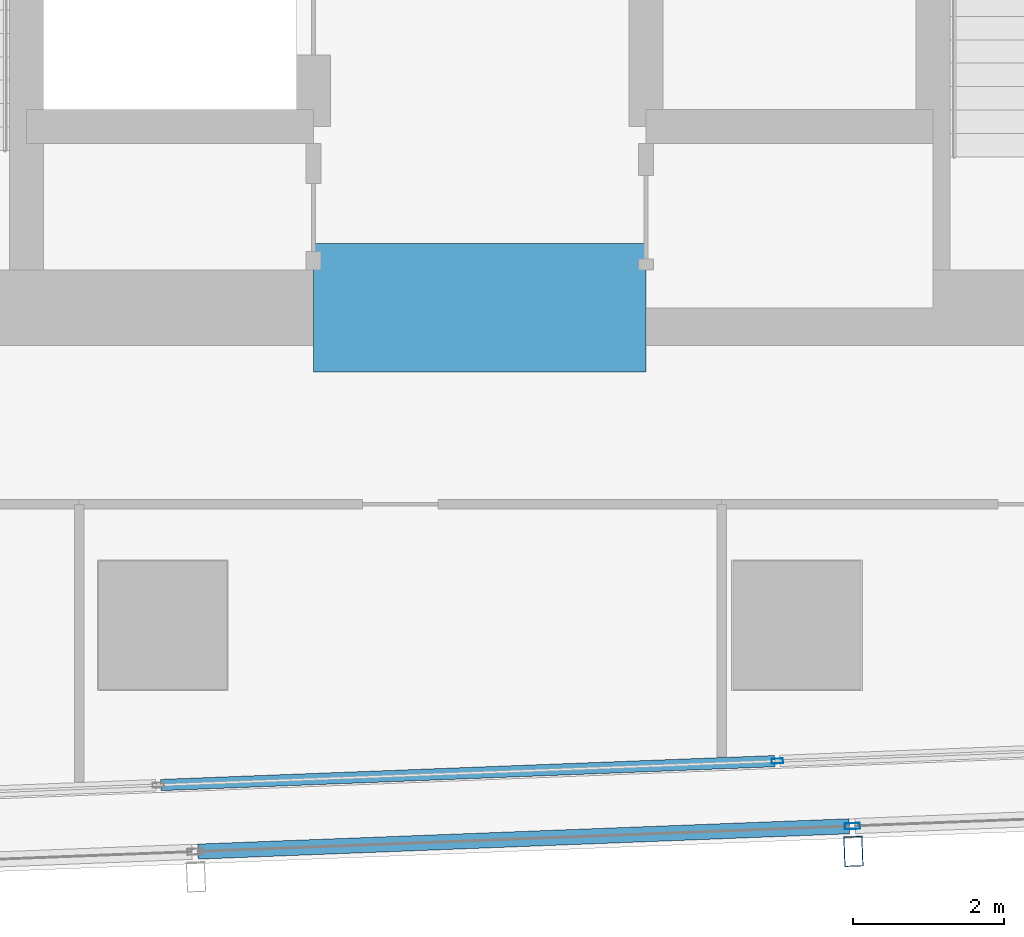
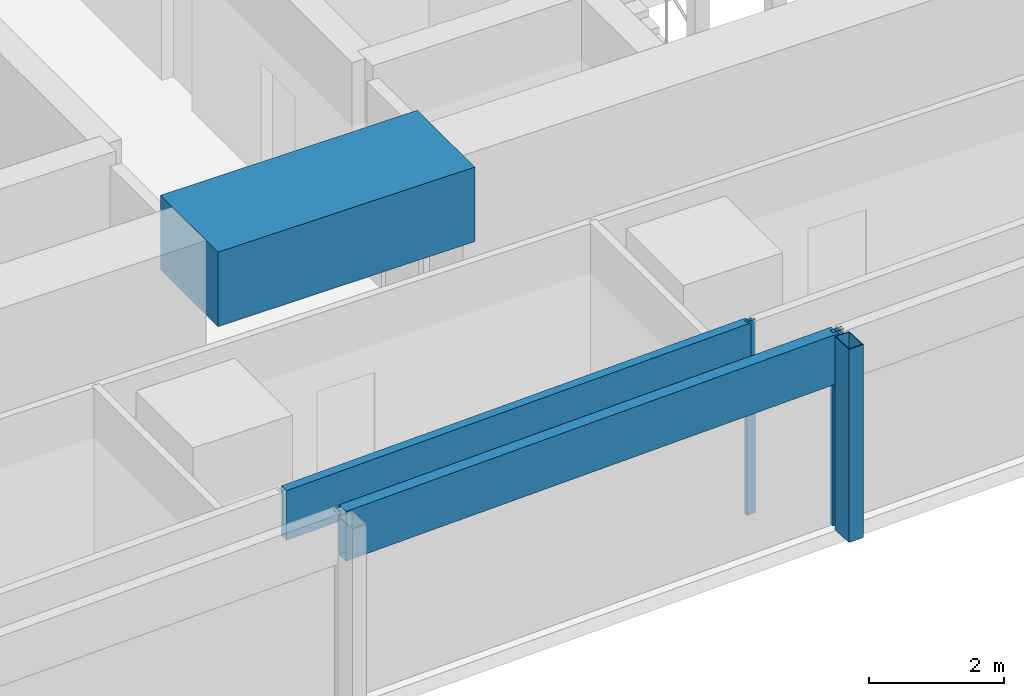
# One storey, part 9 of 40: 5 members, 1 beam, 2 elements without a shape of their own.
"""IFC4 building model written with IfcOpenShell, lengths in metres."""

from ifc_helpers import new_model, si_unit, direction, frame, origin, origin_2d, place, context, subcontext, project, spatial, rectangle, hollow_rectangle, extrude, material, material_profile, profile_set, type_object, element, aggregate, save


model = new_model("IFC4")

# Units and contexts
model_context = context("Model", 3, precision=1e-05, world=origin(), true_north=direction((0.0, 1.0)))
body_context = subcontext(model_context, "Body", "Model", "MODEL_VIEW")
ifc_project = project(units=[si_unit("LENGTHUNIT", "METRE"), si_unit("AREAUNIT", "SQUARE_METRE"), si_unit("VOLUMEUNIT", "CUBIC_METRE"), si_unit("PLANEANGLEUNIT", "RADIAN"), si_unit("MASSUNIT", "GRAM", prefix="KILO")], contexts=[model_context])

# Site, building, storey
site_placement = place(None, origin())
site = spatial("IfcSite", under=ifc_project, at=site_placement, CompositionType="ELEMENT")
building_placement = place(site_placement, origin())
building = spatial("IfcBuilding", under=site, at=building_placement, Name="Rekha Terrace Tower", CompositionType="ELEMENT")
storey_placement = place(building_placement, frame((0.0, 0.0, 121.550048828125)))
storey = spatial("IfcBuildingStorey", under=building, at=storey_placement, Name="L30", CompositionType="ELEMENT", Elevation=121.550048828125)

# Curtain wall, member
ifc_material_1 = material(Name="Aluminium framing", Category="aluminium")
curtain_wall_type_1 = type_object("IfcCurtainWallType", Name="CW2 double skin outer glazing", PredefinedType="USERDEFINED", material=ifc_material_1)
curtain_wall_1_placement = place(storey_placement, origin())
curtain_wall_1 = element("IfcCurtainWall", 1, at=curtain_wall_1_placement, inside=storey, type_object=curtain_wall_type_1, Name="CW2 double skin outer glazing", ObjectType="DOUBLE SKIN OUTER GLAZING", PredefinedType="USERDEFINED")
ifc_material_2 = material(Name="Steel S355 with fluorocarbon finish", Category="steel")
ifc_material_profile_1 = material_profile(ifc_material_2, hollow_rectangle(XDim=0.25, YDim=0.39990234375, WallThickness=0.012451171875, at=origin_2d()), Name="RHS400x250x12.5")
ifc_profile_set_1 = profile_set([ifc_material_profile_1], Name="Steel S355 with fluorocarbon finish")
member_type_1 = type_object("IfcMemberType", Name="BL1 facade blade RHS 400 x 250", PredefinedType="USERDEFINED", material=ifc_profile_set_1)
member_1_placement = place(storey_placement, frame((42.747314453125, 13.802978515625, 0.0), z_axis=(0.0, 0.0, 1.0), x_axis=(0.999243494356, 0.038890088543, 0.0)))
member_1 = element("IfcMember", 2, at=member_1_placement, type_object=member_type_1, Name="Facade blade", ObjectType="FACADE BLADE", PredefinedType="USERDEFINED", context=body_context, shape_type="SweptSolid", body=[
    extrude(hollow_rectangle(XDim=0.25, YDim=0.39990234375, WallThickness=0.012451171875, at=origin_2d()), origin(), (0.0, 0.0, 1.0), 3.5),
])

# Curtain wall, members
curtain_wall_type_2 = type_object("IfcCurtainWallType", Name="CW1 double skin inner glazing", PredefinedType="USERDEFINED", material=ifc_material_1)
curtain_wall_2_placement = place(storey_placement, origin())
curtain_wall_2 = element("IfcCurtainWall", 3, at=curtain_wall_2_placement, inside=storey, type_object=curtain_wall_type_2, Name="CW1 double skin inner glazing", ObjectType="DOUBLE SKIN INNER GLAZING", PredefinedType="USERDEFINED")
ifc_material_3 = material(Name="Aluminium mullion section", Category="aluminium")
ifc_material_profile_2 = material_profile(ifc_material_3, hollow_rectangle(XDim=0.06494140625, YDim=0.14990234375, WallThickness=0.00390625, at=origin_2d()), Name="AL RHS 65x150")
ifc_profile_set_2 = profile_set([ifc_material_profile_2], Name="Aluminium mullion section")
member_type_2 = type_object("IfcMemberType", Name="CW1 mullion RHS 65 x 150", PredefinedType="MULLION", material=ifc_profile_set_2)
member_2_placement = place(storey_placement, frame((41.740234375, 14.999755859375, 0.0), z_axis=(0.0, 0.0, 1.0), x_axis=(-0.038889971345, 0.999243498917, 0.0)))
member_2 = element("IfcMember", 4, at=member_2_placement, type_object=member_type_2, Name="CW1 mullion 3", PredefinedType="MULLION", context=body_context, shape_type="SweptSolid", body=[
    extrude(hollow_rectangle(XDim=0.06494140625, YDim=0.14990234375, WallThickness=0.00390625, at=origin_2d()), origin(), (0.0, 0.0, 1.0), 3.5),
])
ifc_material_4 = material(Name="Insulated aluminium spandrel box", Category="aluminium")
ifc_material_profile_3 = material_profile(ifc_material_4, hollow_rectangle(XDim=0.14990234375, YDim=0.89990234375, WallThickness=0.0029296875, at=origin_2d()), Name="AL SPANDREL BOX 150x900")
ifc_profile_set_3 = profile_set([ifc_material_profile_3], Name="Insulated aluminium spandrel box")
member_type_3 = type_object("IfcMemberType", Name="CW1 spandrel transom 150 x 900", PredefinedType="USERDEFINED", material=ifc_profile_set_3)
member_3_placement = place(storey_placement, frame((33.576416015625, 14.68212890625, 3.050048828125), z_axis=(0.999243790362, 0.038882482205, 0.0), x_axis=(-0.038882482205, 0.999243790362, 0.0)))
member_3 = element("IfcMember", 5, at=member_3_placement, type_object=member_type_3, Name="CW1 spandrel transom 2", ObjectType="TRANSOM", PredefinedType="USERDEFINED", context=body_context, shape_type="SweptSolid", body=[
    extrude(hollow_rectangle(XDim=0.14990234375, YDim=0.89990234375, WallThickness=0.0029296875, at=origin_2d()), origin(), (0.0, 0.0, 1.0), 8.137451171875),
])
aggregate(curtain_wall_2, [member_2, member_3])

# Member
ifc_material_profile_4 = material_profile(ifc_material_3, hollow_rectangle(XDim=0.080078125, YDim=0.199951171875, WallThickness=0.00390625, at=origin_2d()), Name="AL RHS 80x200")
ifc_profile_set_4 = profile_set([ifc_material_profile_4], Name="Aluminium mullion section")
member_type_4 = type_object("IfcMemberType", Name="CW2 mullion RHS 80 x 200", PredefinedType="MULLION", material=ifc_profile_set_4)
member_4_placement = place(storey_placement, frame((42.734130859375, 14.137939453125, 0.0), z_axis=(0.0, 0.0, 1.0), x_axis=(-0.038889971345, 0.999243498917, 0.0)))
member_4 = element("IfcMember", 6, at=member_4_placement, type_object=member_type_4, Name="CW2 mullion 3", PredefinedType="MULLION", context=body_context, shape_type="SweptSolid", body=[
    extrude(hollow_rectangle(XDim=0.080078125, YDim=0.199951171875, WallThickness=0.00390625, at=origin_2d()), origin(), (0.0, 0.0, 1.0), 3.5),
])

ifc_material_profile_5 = material_profile(ifc_material_4, hollow_rectangle(XDim=0.199951171875, YDim=0.89990234375, WallThickness=0.0029296875, at=origin_2d()), Name="AL SPANDREL BOX 200x900")
ifc_profile_set_5 = profile_set([ifc_material_profile_5], Name="Insulated aluminium spandrel box")
member_type_5 = type_object("IfcMemberType", Name="CW2 spandrel transom 200 x 900", PredefinedType="USERDEFINED", material=ifc_profile_set_5)
member_5_placement = place(storey_placement, frame((34.069091796875, 13.800537109375, 3.050048828125), z_axis=(0.999243438523, 0.038891523097, 0.0), x_axis=(-0.038891523097, 0.999243438523, 0.0)))
member_5 = element("IfcMember", 7, at=member_5_placement, type_object=member_type_5, Name="CW2 spandrel transom 2", ObjectType="TRANSOM", PredefinedType="USERDEFINED", context=body_context, shape_type="SweptSolid", body=[
    extrude(hollow_rectangle(XDim=0.199951171875, YDim=0.89990234375, WallThickness=0.0029296875, at=origin_2d()), origin(), (0.0, 0.0, 1.0), 8.631591796875),
])

aggregate(curtain_wall_1, [member_4, member_5, member_1])

# Beam
ifc_material_5 = material(Name="Concrete M70", Category="concrete")
ifc_material_profile_6 = material_profile(ifc_material_5, rectangle(XDim=1.699951171875, YDim=1.35009765625, at=origin_2d()), Name="RC 1700x1350")
ifc_profile_set_6 = profile_set([ifc_material_profile_6], Name="Concrete M70")
beam_type = type_object("IfcBeamType", Name="LB2A 1700x1350 diagonally reinforced coupling beam", PredefinedType="LINTEL", material=ifc_profile_set_6)
beam_placement = place(storey_placement, frame((35.60009765625, 21.0, 3.074951171875), z_axis=(1.0, 0.0, 0.0), x_axis=(0.0, 1.0, 0.0)))
element("IfcBeam", 8, at=beam_placement, inside=storey, type_object=beam_type, Name="Coupling beam LB2A S L30", PredefinedType="LINTEL", context=body_context, shape_type="SweptSolid", body=[
    extrude(rectangle(XDim=1.699951171875, YDim=1.35009765625, at=origin_2d()), origin(), (0.0, 0.0, 1.0), 4.39990234375),
])

save(model, "model.ifc")
